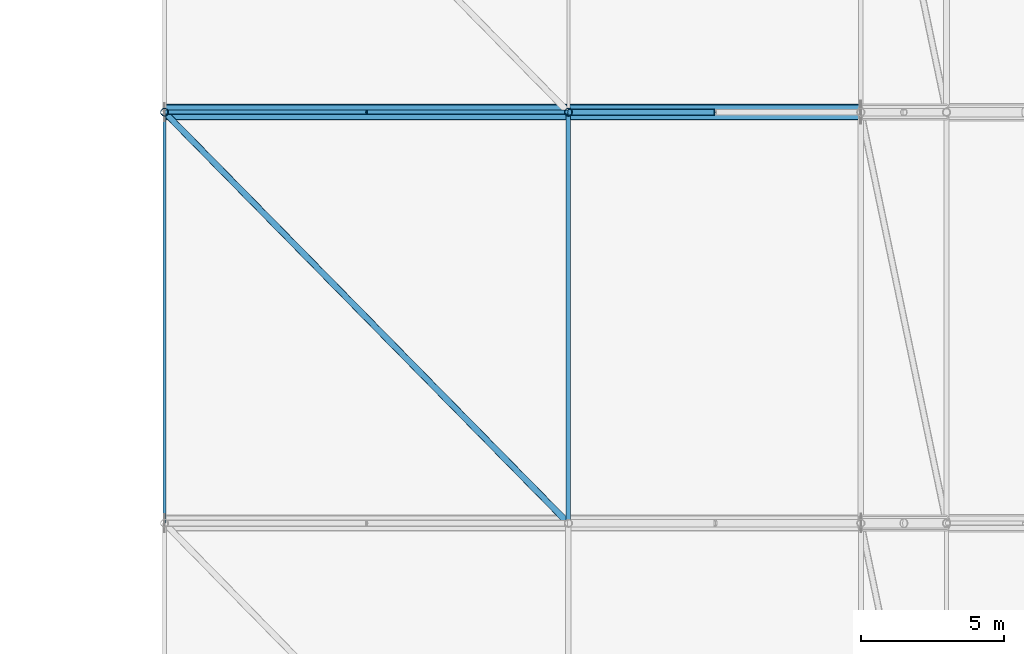
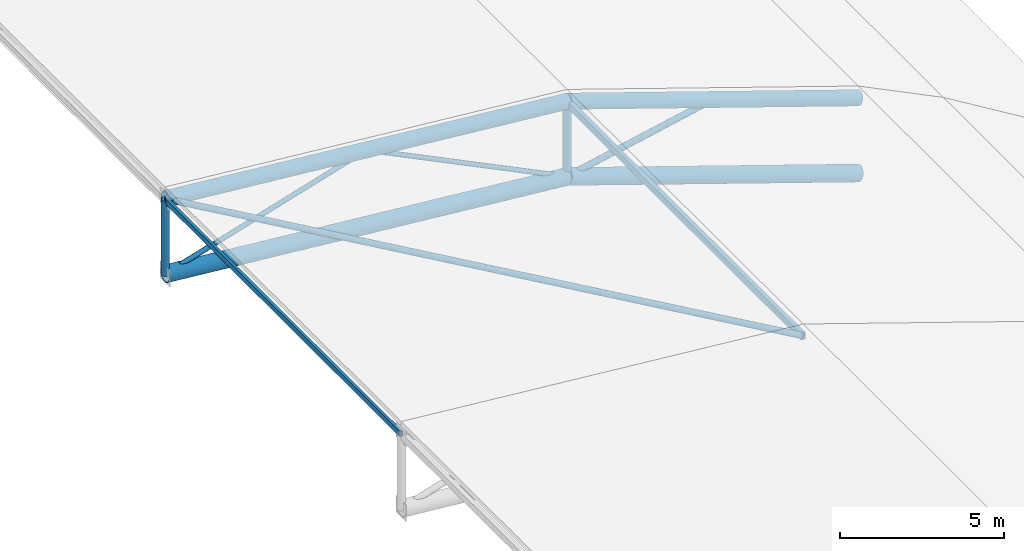
# One storey, part 18 of 36: 12 members.
"""IFC4 building model written with IfcOpenShell, lengths in metres."""

from ifc_helpers import new_model, si_unit, direction, frame, origin, origin_2d, place, context, subcontext, project, spatial, hollow_rectangle, hollow_circle, extrude, material, material_profile, profile_set, type_object, element, save


model = new_model("IFC4")

# Units and contexts
model_context = context("Model", 3, precision=1e-05, world=origin(), true_north=direction((0.0, 1.0)))
body_context = subcontext(model_context, "Body", "Model", "MODEL_VIEW")
ifc_project = project(units=[si_unit("LENGTHUNIT", "METRE"), si_unit("AREAUNIT", "SQUARE_METRE"), si_unit("VOLUMEUNIT", "CUBIC_METRE"), si_unit("PLANEANGLEUNIT", "RADIAN"), si_unit("MASSUNIT", "GRAM", prefix="KILO")], contexts=[model_context])

# Site, building, storey
site_placement = place(None, origin())
site = spatial("IfcSite", under=ifc_project, at=site_placement, CompositionType="ELEMENT")
building_placement = place(site_placement, origin())
building = spatial("IfcBuilding", under=site, at=building_placement, Name="Koshinbarg Plaza Stadium", CompositionType="ELEMENT")
storey_placement = place(building_placement, frame((0.0, 0.0, 34.199951171875)))
storey = spatial("IfcBuildingStorey", under=building, at=storey_placement, Name="RF", CompositionType="ELEMENT", Elevation=34.199951171875)

# Members
ifc_material = material(Name="Steel S355", Category="steel")
ifc_material_profile_1 = material_profile(ifc_material, hollow_circle(Radius=0.279541015625, WallThickness=0.022216796875, at=origin_2d()), Name="CHS 559x22.2")
ifc_profile_set_1 = profile_set([ifc_material_profile_1], Name="Steel S355")
member_type_1 = type_object("IfcMemberType", Name="MB-ARCH-BOT", PredefinedType="CHORD", material=ifc_profile_set_1)
member_1_placement = place(storey_placement, frame((189.39990234375, 83.10009765625, -0.0400390625), z_axis=(-0.947427718422, 0.0, 0.319969871027), x_axis=(0.0, -1.0, 0.0)))
element("IfcMember", 1, at=member_1_placement, inside=storey, type_object=member_type_1, Name="Quarter-barrel roof truss bottom chord ERB-05-3", PredefinedType="CHORD", context=body_context, shape_type="SweptSolid", body=[
    extrude(hollow_circle(Radius=0.279541015625, WallThickness=0.022216796875, at=origin_2d()), origin(), (0.0, 0.0, 1.0), 10.81640625),
])
member_2_placement = place(storey_placement, frame((179.152099609375, 83.10009765625, 3.4208984375), z_axis=(-0.995642851387, 0.0, 0.093248659413), x_axis=(0.0, -1.0, 0.0)))
element("IfcMember", 2, at=member_2_placement, inside=storey, type_object=member_type_1, Name="Quarter-barrel roof truss bottom chord ERB-05-4", PredefinedType="CHORD", context=body_context, shape_type="SweptSolid", body=[
    extrude(hollow_circle(Radius=0.279541015625, WallThickness=0.022216796875, at=origin_2d()), origin(), (0.0, 0.0, 1.0), 14.214111328125),
])
ifc_material_profile_2 = material_profile(ifc_material, hollow_circle(Radius=0.25390625, WallThickness=0.02001953125, at=origin_2d()), Name="CHS 508x20")
ifc_profile_set_2 = profile_set([ifc_material_profile_2], Name="Steel S355")
member_type_2 = type_object("IfcMemberType", Name="MB-ARCH-TOP", PredefinedType="CHORD", material=ifc_profile_set_2)
member_3_placement = place(storey_placement, frame((189.39990234375, 83.10009765625, 2.760009765625), z_axis=(-0.947427718422, 0.0, 0.319969871027), x_axis=(0.0, -1.0, 0.0)))
element("IfcMember", 3, at=member_3_placement, inside=storey, type_object=member_type_2, Name="Quarter-barrel roof truss top chord ERB-05-3", PredefinedType="CHORD", context=body_context, shape_type="SweptSolid", body=[
    extrude(hollow_circle(Radius=0.25390625, WallThickness=0.02001953125, at=origin_2d()), origin(), (0.0, 0.0, 1.0), 10.81640625),
])
member_4_placement = place(storey_placement, frame((179.152099609375, 83.10009765625, 6.220947265625), z_axis=(-0.995642851387, 0.0, 0.093248659413), x_axis=(0.0, -1.0, 0.0)))
element("IfcMember", 4, at=member_4_placement, inside=storey, type_object=member_type_2, Name="Quarter-barrel roof truss top chord ERB-05-4", PredefinedType="CHORD", context=body_context, shape_type="SweptSolid", body=[
    extrude(hollow_circle(Radius=0.25390625, WallThickness=0.02001953125, at=origin_2d()), origin(), (0.0, 0.0, 1.0), 14.214111328125),
])
ifc_material_profile_3 = material_profile(ifc_material, hollow_circle(Radius=0.136474609375, WallThickness=0.012451171875, at=origin_2d()), Name="CHS 273x12.5")
ifc_profile_set_3 = profile_set([ifc_material_profile_3], Name="Steel S355")
member_type_3 = type_object("IfcMemberType", Name="MB-BRACE-02", PredefinedType="BRACE", material=ifc_profile_set_3)
for number, where, z_axis, x_axis, name in (
    (5, (179.152099609375, 83.10009765625, 3.4208984375), (0.0, 0.0, 1.0), (1.0, 0.0, 0.0), "Quarter-barrel roof truss post ERB-05-4"),
    (6, (165.0, 83.10009765625, 4.746337890625), (0.0, 0.0, 1.0), (1.0, 0.0, 0.0), "Quarter-barrel roof truss post ERB-05-5"),
):
    element("IfcMember", number, at=place(storey_placement, frame(where, z_axis=z_axis, x_axis=x_axis)), inside=storey, type_object=member_type_3, Name=name, PredefinedType="BRACE", context=body_context, shape_type="SweptSolid", body=[
        extrude(hollow_circle(Radius=0.136474609375, WallThickness=0.012451171875, at=origin_2d()), origin(), (0.0, 0.0, 1.0), 2.800048828125),
    ])
ifc_material_profile_4 = material_profile(ifc_material, hollow_circle(Radius=0.109619140625, WallThickness=0.010009765625, at=origin_2d()), Name="CHS 219.1x10")
ifc_profile_set_4 = profile_set([ifc_material_profile_4], Name="Steel S355")
member_type_4 = type_object("IfcMemberType", Name="MB-BRACE-03", PredefinedType="BRACE", material=ifc_profile_set_4)
member_5_placement = place(storey_placement, frame((184.27587890625, 83.10009765625, 4.490478515625), z_axis=(-0.978899240734, 0.0, -0.20434352569), x_axis=(0.0, -1.0, 0.0)))
element("IfcMember", 7, at=member_5_placement, inside=storey, type_object=member_type_4, Name="Quarter-barrel roof truss web diagonal ERB-05-3B", PredefinedType="BRACE", context=body_context, shape_type="SweptSolid", body=[
    extrude(hollow_circle(Radius=0.109619140625, WallThickness=0.010009765625, at=origin_2d()), origin(), (0.0, 0.0, 1.0), 5.234130859375),
])
member_6_placement = place(storey_placement, frame((179.152099609375, 68.699951171875, 6.220947265625), z_axis=(-0.699431846108, 0.711690937585, 0.065506503571), x_axis=(-0.713222838716, -0.700937359779, 0.0)))
element("IfcMember", 8, at=member_6_placement, inside=storey, type_object=member_type_4, Name="Roof plan wind brace east bay 4.4", PredefinedType="BRACE", context=body_context, shape_type="SweptSolid", body=[
    extrude(hollow_circle(Radius=0.109619140625, WallThickness=0.010009765625, at=origin_2d()), origin(), (0.0, 0.0, 1.0), 20.233642578125),
])
ifc_material_profile_5 = material_profile(ifc_material, hollow_circle(Radius=0.084228515625, WallThickness=0.008056640625, at=origin_2d()), Name="CHS 168.3x8")
ifc_profile_set_5 = profile_set([ifc_material_profile_5], Name="Steel S355")
member_type_5 = type_object("IfcMemberType", Name="MB-BRACE-04", PredefinedType="BRACE", material=ifc_profile_set_5)
member_7_placement = place(storey_placement, frame((179.152099609375, 83.10009765625, 3.4208984375), z_axis=(-0.898224792069, 0.0, 0.439536372685), x_axis=(0.0, -1.0, 0.0)))
element("IfcMember", 9, at=member_7_placement, inside=storey, type_object=member_type_5, Name="Quarter-barrel roof truss web diagonal ERB-05-4A", PredefinedType="BRACE", context=body_context, shape_type="SweptSolid", body=[
    extrude(hollow_circle(Radius=0.084228515625, WallThickness=0.008056640625, at=origin_2d()), origin(), (0.0, 0.0, 1.0), 7.8779296875),
])
member_8_placement = place(storey_placement, frame((172.075927734375, 83.10009765625, 6.883544921875), z_axis=(-0.957287355099, 0.0, -0.289138236433), x_axis=(0.0, -1.0, 0.0)))
element("IfcMember", 10, at=member_8_placement, inside=storey, type_object=member_type_5, Name="Quarter-barrel roof truss web diagonal ERB-05-4B", PredefinedType="BRACE", context=body_context, shape_type="SweptSolid", body=[
    extrude(hollow_circle(Radius=0.084228515625, WallThickness=0.008056640625, at=origin_2d()), origin(), (0.0, 0.0, 1.0), 7.3916015625),
])
ifc_material_profile_6 = material_profile(ifc_material, hollow_rectangle(XDim=0.14990234375, YDim=0.25, WallThickness=0.010009765625, at=origin_2d()), Name="RHS 250x150x10")
ifc_profile_set_6 = profile_set([ifc_material_profile_6], Name="Steel S355")
member_type_6 = type_object("IfcMemberType", Name="MB-PURL-02", PredefinedType="PURLIN", material=ifc_profile_set_6)
member_9_placement = place(storey_placement, frame((179.152099609375, 68.699951171875, 6.200927734375), z_axis=(0.0, 1.0, 0.0), x_axis=(-1.0, 0.0, 0.0)))
element("IfcMember", 11, at=member_9_placement, inside=storey, type_object=member_type_6, Name="Roof longitudinal purlin east bay 4.4", PredefinedType="PURLIN", context=body_context, shape_type="SweptSolid", body=[
    extrude(hollow_rectangle(XDim=0.14990234375, YDim=0.25, WallThickness=0.010009765625, at=origin_2d()), origin(), (0.0, 0.0, 1.0), 14.400146484375),
])
ifc_material_profile_7 = material_profile(ifc_material, hollow_rectangle(XDim=0.10009765625, YDim=0.199951171875, WallThickness=0.008056640625, at=origin_2d()), Name="RHS 200x100x8")
ifc_profile_set_7 = profile_set([ifc_material_profile_7], Name="Steel S355")
member_type_7 = type_object("IfcMemberType", Name="MB-PURL-03", PredefinedType="PURLIN", material=ifc_profile_set_7)
member_10_placement = place(storey_placement, frame((165.0, 68.699951171875, 7.5263671875), z_axis=(0.0, 1.0, 0.0), x_axis=(-1.0, 0.0, 0.0)))
element("IfcMember", 12, at=member_10_placement, inside=storey, type_object=member_type_7, Name="Roof longitudinal purlin east bay 4.5", PredefinedType="PURLIN", context=body_context, shape_type="SweptSolid", body=[
    extrude(hollow_rectangle(XDim=0.10009765625, YDim=0.199951171875, WallThickness=0.008056640625, at=origin_2d()), origin(), (0.0, 0.0, 1.0), 14.400146484375),
])

save(model, "model.ifc")
